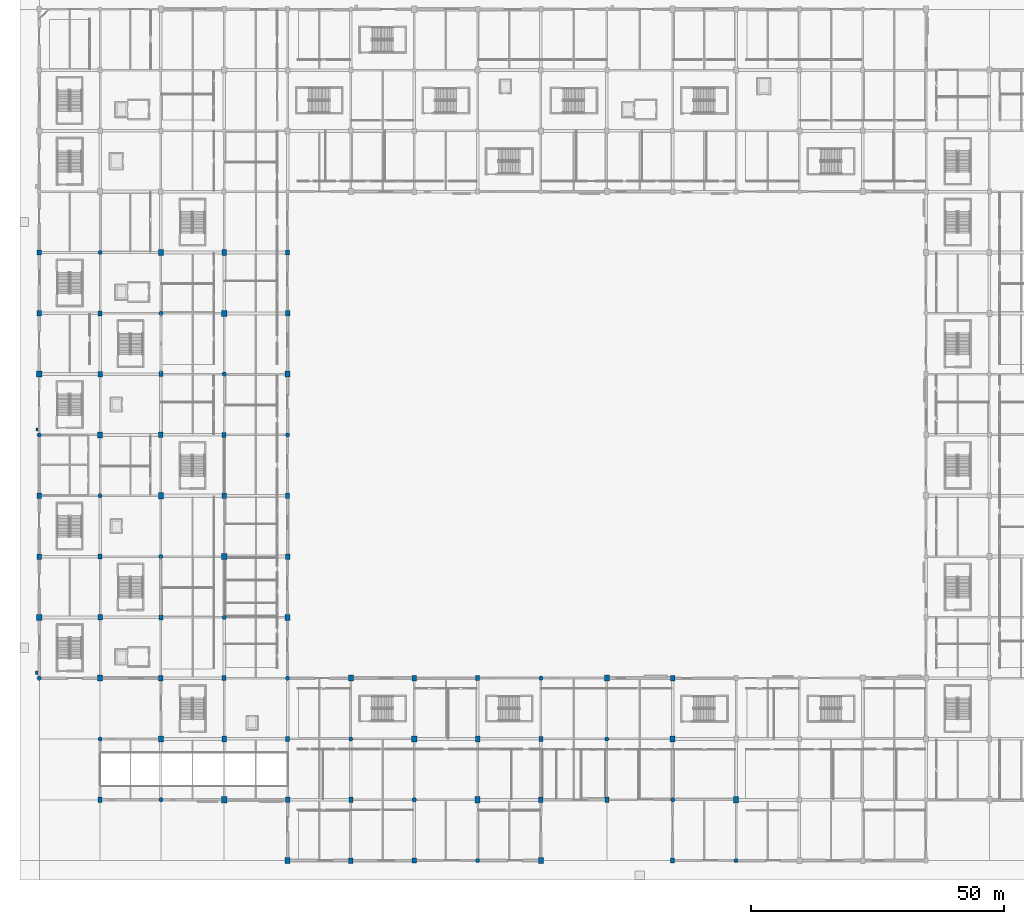
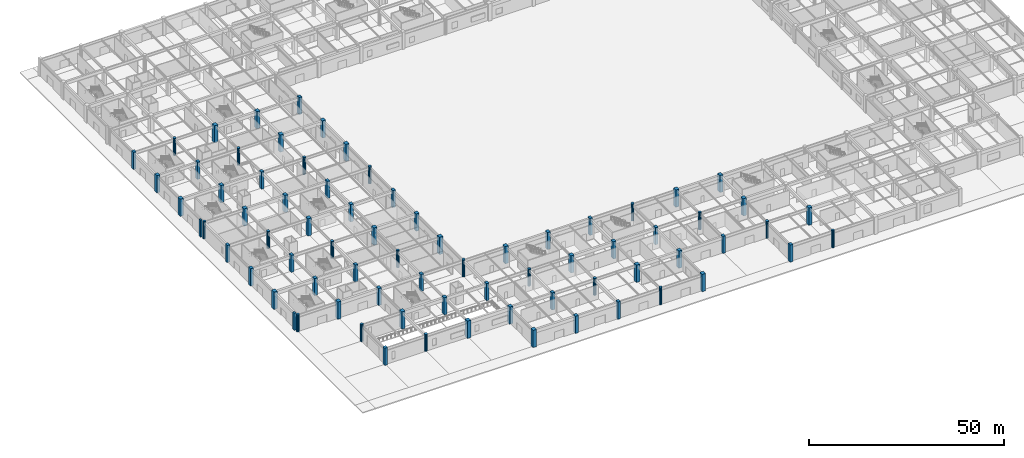
# One storey, part 1 of 69: 76 columns.
"""IFC4 building model written with IfcOpenShell, lengths in metres."""

from ifc_helpers import new_model, si_unit, direction, frame, origin, origin_2d, place, context, subcontext, project, spatial, rectangle, circle, extrude, material, material_profile, profile_set, type_object, element, save


model = new_model("IFC4")

# Units and contexts
model_context = context("Model", 3, precision=1e-05, world=origin(), true_north=direction((0.0, 1.0)))
body_context = subcontext(model_context, "Body", "Model", "MODEL_VIEW")
ifc_project = project(units=[si_unit("LENGTHUNIT", "METRE"), si_unit("AREAUNIT", "SQUARE_METRE"), si_unit("VOLUMEUNIT", "CUBIC_METRE"), si_unit("PLANEANGLEUNIT", "RADIAN"), si_unit("MASSUNIT", "GRAM", prefix="KILO")], contexts=[model_context])

# Site, building, storey
site_placement = place(None, origin())
site = spatial("IfcSite", under=ifc_project, at=site_placement, CompositionType="ELEMENT")
building_placement = place(site_placement, origin())
building = spatial("IfcBuilding", under=site, at=building_placement, Name="Kazenohara Klinker Stadium", CompositionType="ELEMENT")
storey_placement = place(building_placement, origin())
storey = spatial("IfcBuildingStorey", under=building, at=storey_placement, Name="L00", CompositionType="ELEMENT", Elevation=0.0)

# Columns
ifc_material = material(Name="Concrete C40/50", Category="concrete")
ifc_material_profile_1 = material_profile(ifc_material, rectangle(XDim=1.0, YDim=1.199951171875, at=origin_2d()), Name="RC-COL-1200x1000")
ifc_profile_set_1 = profile_set([ifc_material_profile_1], Name="Concrete C40/50")
column_type_1 = type_object("IfcColumnType", Name="COL-RC01", PredefinedType="COLUMN", material=ifc_profile_set_1)
for number, where, z_axis, x_axis, name in (
    (1, (0.0, 48.0, 0.0), (0.0, 0.0, 1.0), (1.0, 0.0, 0.0), "Column C01 L00 1/E"),
    (2, (0.0, 96.0, 0.0), (0.0, 0.0, 1.0), (1.0, 0.0, 0.0), "Column C01 L00 1/J"),
    (3, (12.0, 36.0, 0.0), (0.0, 0.0, 1.0), (1.0, 0.0, 0.0), "Column C01 L00 2/D"),
    (4, (12.0, 84.0, 0.0), (0.0, 0.0, 1.0), (1.0, 0.0, 0.0), "Column C01 L00 2/H"),
    (5, (24.0, 24.0, 0.0), (0.0, 0.0, 1.0), (1.0, 0.0, 0.0), "Column C01 L00 3/C"),
    (6, (24.0, 72.0, 0.0), (0.0, 0.0, 1.0), (1.0, 0.0, 0.0), "Column C01 L00 3/G"),
    (7, (24.0, 120.0, 0.0), (0.0, 0.0, 1.0), (1.0, 0.0, 0.0), "Column C01 L00 3/L"),
    (8, (36.5, 12.0, 0.0), (0.0, 0.0, 1.0), (1.0, 0.0, 0.0), "Column C01 L00 4/B"),
    (9, (36.5, 60.0, 0.0), (0.0, 0.0, 1.0), (1.0, 0.0, 0.0), "Column C01 L00 4/F"),
    (10, (36.5, 108.0, 0.0), (0.0, 0.0, 1.0), (1.0, 0.0, 0.0), "Column C01 L00 4/K"),
    (11, (49.0, 0.0, 0.0), (0.0, 0.0, 1.0), (1.0, 0.0, 0.0), "Column C01 L00 5/A"),
    (12, (49.0, 48.0, 0.0), (0.0, 0.0, 1.0), (1.0, 0.0, 0.0), "Column C01 L00 5/E"),
    (13, (49.0, 96.0, 0.0), (0.0, 0.0, 1.0), (1.0, 0.0, 0.0), "Column C01 L00 5/J"),
    (14, (61.5, 36.0, 0.0), (0.0, 0.0, 1.0), (1.0, 0.0, 0.0), "Column C01 L00 6/D"),
    (15, (74.0, 24.0, 0.0), (0.0, 0.0, 1.0), (1.0, 0.0, 0.0), "Column C01 L00 7/C"),
    (16, (86.5, 12.0, 0.0), (0.0, 0.0, 1.0), (1.0, 0.0, 0.0), "Column C01 L00 8/B"),
    (17, (99.0, 0.0, 0.0), (0.0, 0.0, 1.0), (1.0, 0.0, 0.0), "Column C01 L00 9/A"),
    (18, (112.0, 36.0, 0.0), (0.0, 0.0, 1.0), (1.0, 0.0, 0.0), "Column C01 L00 10/D"),
    (19, (125.0, 24.0, 0.0), (0.0, 0.0, 1.0), (1.0, 0.0, 0.0), "Column C01 L00 11/C"),
    (20, (137.5, 12.0, 0.0), (0.0, 0.0, 1.0), (1.0, 0.0, 0.0), "Column C01 L00 12/B"),
):
    element("IfcColumn", number, at=place(storey_placement, frame(where, z_axis=z_axis, x_axis=x_axis)), inside=storey, type_object=column_type_1, Name=name, PredefinedType="COLUMN", context=body_context, shape_type="SweptSolid", body=[
        extrude(rectangle(XDim=1.0, YDim=1.199951171875, at=origin_2d()), origin(), (0.0, 0.0, 1.0), 5.39990234375),
    ])
ifc_material_profile_2 = material_profile(ifc_material, rectangle(XDim=0.89990234375, YDim=1.10009765625, at=origin_2d()), Name="RC-COL-1100x900")
ifc_profile_set_2 = profile_set([ifc_material_profile_2], Name="Concrete C40/50")
column_type_2 = type_object("IfcColumnType", Name="COL-RC02", PredefinedType="COLUMN", material=ifc_profile_set_2)
for number, where, z_axis, x_axis, name in (
    (21, (0.0, 60.0, 0.0), (0.0, 0.0, 1.0), (1.0, 0.0, 0.0), "Column C02 L00 1/F"),
    (22, (0.0, 108.0, 0.0), (0.0, 0.0, 1.0), (1.0, 0.0, 0.0), "Column C02 L00 1/K"),
    (23, (12.0, 48.0, 0.0), (0.0, 0.0, 1.0), (1.0, 0.0, 0.0), "Column C02 L00 2/E"),
    (24, (12.0, 96.0, 0.0), (0.0, 0.0, 1.0), (1.0, 0.0, 0.0), "Column C02 L00 2/J"),
    (25, (24.0, 36.0, 0.0), (0.0, 0.0, 1.0), (1.0, 0.0, 0.0), "Column C02 L00 3/D"),
    (26, (24.0, 84.0, 0.0), (0.0, 0.0, 1.0), (1.0, 0.0, 0.0), "Column C02 L00 3/H"),
    (27, (36.5, 24.0, 0.0), (0.0, 0.0, 1.0), (1.0, 0.0, 0.0), "Column C02 L00 4/C"),
    (28, (36.5, 72.0, 0.0), (0.0, 0.0, 1.0), (1.0, 0.0, 0.0), "Column C02 L00 4/G"),
    (29, (36.5, 120.0, 0.0), (0.0, 0.0, 1.0), (1.0, 0.0, 0.0), "Column C02 L00 4/L"),
    (30, (49.0, 12.0, 0.0), (0.0, 0.0, 1.0), (1.0, 0.0, 0.0), "Column C02 L00 5/B"),
    (31, (49.0, 60.0, 0.0), (0.0, 0.0, 1.0), (1.0, 0.0, 0.0), "Column C02 L00 5/F"),
    (32, (49.0, 108.0, 0.0), (0.0, 0.0, 1.0), (1.0, 0.0, 0.0), "Column C02 L00 5/K"),
    (33, (61.5, 0.0, 0.0), (0.0, 0.0, 1.0), (1.0, 0.0, 0.0), "Column C02 L00 6/A"),
    (34, (74.0, 36.0, 0.0), (0.0, 0.0, 1.0), (1.0, 0.0, 0.0), "Column C02 L00 7/D"),
    (35, (86.5, 24.0, 0.0), (0.0, 0.0, 1.0), (1.0, 0.0, 0.0), "Column C02 L00 8/C"),
    (36, (99.0, 12.0, 0.0), (0.0, 0.0, 1.0), (1.0, 0.0, 0.0), "Column C02 L00 9/B"),
    (37, (125.0, 36.0, 0.0), (0.0, 0.0, 1.0), (1.0, 0.0, 0.0), "Column C02 L00 11/D"),
):
    element("IfcColumn", number, at=place(storey_placement, frame(where, z_axis=z_axis, x_axis=x_axis)), inside=storey, type_object=column_type_2, Name=name, PredefinedType="COLUMN", context=body_context, shape_type="SweptSolid", body=[
        extrude(rectangle(XDim=0.89990234375, YDim=1.10009765625, at=origin_2d()), origin(), (0.0, 0.0, 1.0), 5.39990234375),
    ])
ifc_material_profile_3 = material_profile(ifc_material, rectangle(XDim=0.800048828125, YDim=1.0, at=origin_2d()), Name="RC-COL-1000x800")
ifc_profile_set_3 = profile_set([ifc_material_profile_3], Name="Concrete C40/50")
column_type_3 = type_object("IfcColumnType", Name="COL-RC03", PredefinedType="COLUMN", material=ifc_profile_set_3)
for number, where, z_axis, x_axis, name in (
    (38, (0.0, 72.0, 0.0), (0.0, 0.0, 1.0), (1.0, 0.0, 0.0), "Column C03 L00 1/G"),
    (39, (0.0, 120.0, 0.0), (0.0, 0.0, 1.0), (1.0, 0.0, 0.0), "Column C03 L00 1/L"),
    (40, (12.0, 12.0, 0.0), (0.0, 0.0, 1.0), (1.0, 0.0, 0.0), "Column C03 L00 2/B"),
    (41, (12.0, 60.0, 0.0), (0.0, 0.0, 1.0), (1.0, 0.0, 0.0), "Column C03 L00 2/F"),
    (42, (12.0, 108.0, 0.0), (0.0, 0.0, 1.0), (1.0, 0.0, 0.0), "Column C03 L00 2/K"),
    (43, (24.0, 48.0, 0.0), (0.0, 0.0, 1.0), (1.0, 0.0, 0.0), "Column C03 L00 3/E"),
    (44, (24.0, 96.0, 0.0), (0.0, 0.0, 1.0), (1.0, 0.0, 0.0), "Column C03 L00 3/J"),
    (45, (36.5, 36.0, 0.0), (0.0, 0.0, 1.0), (1.0, 0.0, 0.0), "Column C03 L00 4/D"),
    (46, (36.5, 84.0, 0.0), (0.0, 0.0, 1.0), (1.0, 0.0, 0.0), "Column C03 L00 4/H"),
    (47, (49.0, 24.0, 0.0), (0.0, 0.0, 1.0), (1.0, 0.0, 0.0), "Column C03 L00 5/C"),
    (48, (49.0, 72.0, 0.0), (0.0, 0.0, 1.0), (1.0, 0.0, 0.0), "Column C03 L00 5/G"),
    (49, (49.0, 120.0, 0.0), (0.0, 0.0, 1.0), (1.0, 0.0, 0.0), "Column C03 L00 5/L"),
    (50, (61.5, 12.0, 0.0), (0.0, 0.0, 1.0), (1.0, 0.0, 0.0), "Column C03 L00 6/B"),
    (51, (74.0, 0.0, 0.0), (0.0, 0.0, 1.0), (1.0, 0.0, 0.0), "Column C03 L00 7/A"),
    (52, (86.5, 36.0, 0.0), (0.0, 0.0, 1.0), (1.0, 0.0, 0.0), "Column C03 L00 8/D"),
    (53, (99.0, 24.0, 0.0), (0.0, 0.0, 1.0), (1.0, 0.0, 0.0), "Column C03 L00 9/C"),
    (54, (112.0, 12.0, 0.0), (0.0, 0.0, 1.0), (1.0, 0.0, 0.0), "Column C03 L00 10/B"),
    (55, (125.0, 0.0, 0.0), (0.0, 0.0, 1.0), (1.0, 0.0, 0.0), "Column C03 L00 11/A"),
):
    element("IfcColumn", number, at=place(storey_placement, frame(where, z_axis=z_axis, x_axis=x_axis)), inside=storey, type_object=column_type_3, Name=name, PredefinedType="COLUMN", context=body_context, shape_type="SweptSolid", body=[
        extrude(rectangle(XDim=0.800048828125, YDim=1.0, at=origin_2d()), origin(), (0.0, 0.0, 1.0), 5.39990234375),
    ])
ifc_material_profile_4 = material_profile(ifc_material, circle(Radius=0.425048828125, at=origin_2d()), Name="RC-COL-D850")
ifc_profile_set_4 = profile_set([ifc_material_profile_4], Name="Concrete C40/50")
column_type_4 = type_object("IfcColumnType", Name="COL-RC08", PredefinedType="COLUMN", material=ifc_profile_set_4)
for number, where, z_axis, x_axis, name in (
    (56, (0.0, 36.0, 0.0), (0.0, 0.0, 1.0), (1.0, 0.0, 0.0), "Column C08 L00 1/D"),
    (57, (0.0, 84.0, 0.0), (0.0, 0.0, 1.0), (1.0, 0.0, 0.0), "Column C08 L00 1/H"),
    (58, (12.0, 24.0, 0.0), (0.0, 0.0, 1.0), (1.0, 0.0, 0.0), "Column C08 L00 2/C"),
    (59, (12.0, 72.0, 0.0), (0.0, 0.0, 1.0), (1.0, 0.0, 0.0), "Column C08 L00 2/G"),
    (60, (12.0, 120.0, 0.0), (0.0, 0.0, 1.0), (1.0, 0.0, 0.0), "Column C08 L00 2/L"),
    (61, (24.0, 12.0, 0.0), (0.0, 0.0, 1.0), (1.0, 0.0, 0.0), "Column C08 L00 3/B"),
    (62, (24.0, 60.0, 0.0), (0.0, 0.0, 1.0), (1.0, 0.0, 0.0), "Column C08 L00 3/F"),
    (63, (24.0, 108.0, 0.0), (0.0, 0.0, 1.0), (1.0, 0.0, 0.0), "Column C08 L00 3/K"),
    (64, (36.5, 48.0, 0.0), (0.0, 0.0, 1.0), (1.0, 0.0, 0.0), "Column C08 L00 4/E"),
    (65, (36.5, 96.0, 0.0), (0.0, 0.0, 1.0), (1.0, 0.0, 0.0), "Column C08 L00 4/J"),
    (66, (49.0, 36.0, 0.0), (0.0, 0.0, 1.0), (1.0, 0.0, 0.0), "Column C08 L00 5/D"),
    (67, (49.0, 84.0, 0.0), (0.0, 0.0, 1.0), (1.0, 0.0, 0.0), "Column C08 L00 5/H"),
    (68, (61.5, 24.0, 0.0), (0.0, 0.0, 1.0), (1.0, 0.0, 0.0), "Column C08 L00 6/C"),
    (69, (74.0, 12.0, 0.0), (0.0, 0.0, 1.0), (1.0, 0.0, 0.0), "Column C08 L00 7/B"),
    (70, (86.5, 0.0, 0.0), (0.0, 0.0, 1.0), (1.0, 0.0, 0.0), "Column C08 L00 8/A"),
    (71, (99.0, 36.0, 0.0), (0.0, 0.0, 1.0), (1.0, 0.0, 0.0), "Column C08 L00 9/D"),
    (72, (112.0, 24.0, 0.0), (0.0, 0.0, 1.0), (1.0, 0.0, 0.0), "Column C08 L00 10/C"),
    (73, (125.0, 12.0, 0.0), (0.0, 0.0, 1.0), (1.0, 0.0, 0.0), "Column C08 L00 11/B"),
    (74, (137.5, 0.0, 0.0), (0.0, 0.0, 1.0), (1.0, 0.0, 0.0), "Column C08 L00 12/A"),
):
    element("IfcColumn", number, at=place(storey_placement, frame(where, z_axis=z_axis, x_axis=x_axis)), inside=storey, type_object=column_type_4, Name=name, PredefinedType="COLUMN", context=body_context, shape_type="SweptSolid", body=[
        extrude(circle(Radius=0.425048828125, at=origin_2d()), origin(), (0.0, 0.0, 1.0), 5.39990234375),
    ])
ifc_material_profile_5 = material_profile(ifc_material, rectangle(XDim=0.449951171875, YDim=0.64990234375, at=origin_2d()), Name="RC-PILASTER-450x650")
ifc_profile_set_5 = profile_set([ifc_material_profile_5], Name="Concrete C40/50")
column_type_5 = type_object("IfcColumnType", Name="PIL-RC01", PredefinedType="PILASTER", material=ifc_profile_set_5)
column_1_placement = place(storey_placement, frame((-0.449951171875, 85.050048828125, 0.0), z_axis=(0.0, 0.0, 1.0), x_axis=(1.0, 0.0, 0.0)))
element("IfcColumn", 75, at=column_1_placement, inside=storey, type_object=column_type_5, Name="Pleated facade pilaster PL01 L00 West-07", PredefinedType="PILASTER", context=body_context, shape_type="SweptSolid", body=[
    extrude(rectangle(XDim=0.449951171875, YDim=0.64990234375, at=origin_2d()), origin(), (0.0, 0.0, 1.0), 5.39990234375),
])
ifc_material_profile_6 = material_profile(ifc_material, rectangle(XDim=0.5, YDim=0.75, at=origin_2d()), Name="RC-PILASTER-500x750")
ifc_profile_set_6 = profile_set([ifc_material_profile_6], Name="Concrete C40/50")
column_type_6 = type_object("IfcColumnType", Name="PIL-RC02", PredefinedType="PILASTER", material=ifc_profile_set_6)
column_2_placement = place(storey_placement, frame((-0.449951171875, 37.050048828125, 0.0), z_axis=(0.0, 0.0, 1.0), x_axis=(1.0, 0.0, 0.0)))
element("IfcColumn", 76, at=column_2_placement, inside=storey, type_object=column_type_6, Name="Pleated facade pilaster PL02 L00 West-03", PredefinedType="PILASTER", context=body_context, shape_type="SweptSolid", body=[
    extrude(rectangle(XDim=0.5, YDim=0.75, at=origin_2d()), origin(), (0.0, 0.0, 1.0), 5.39990234375),
])

save(model, "model.ifc")
